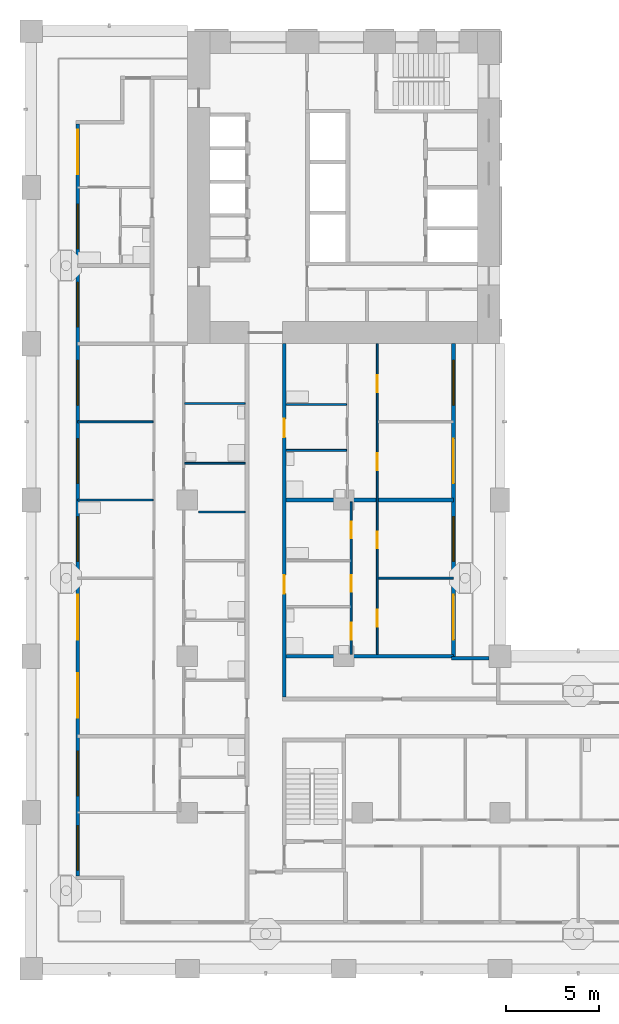
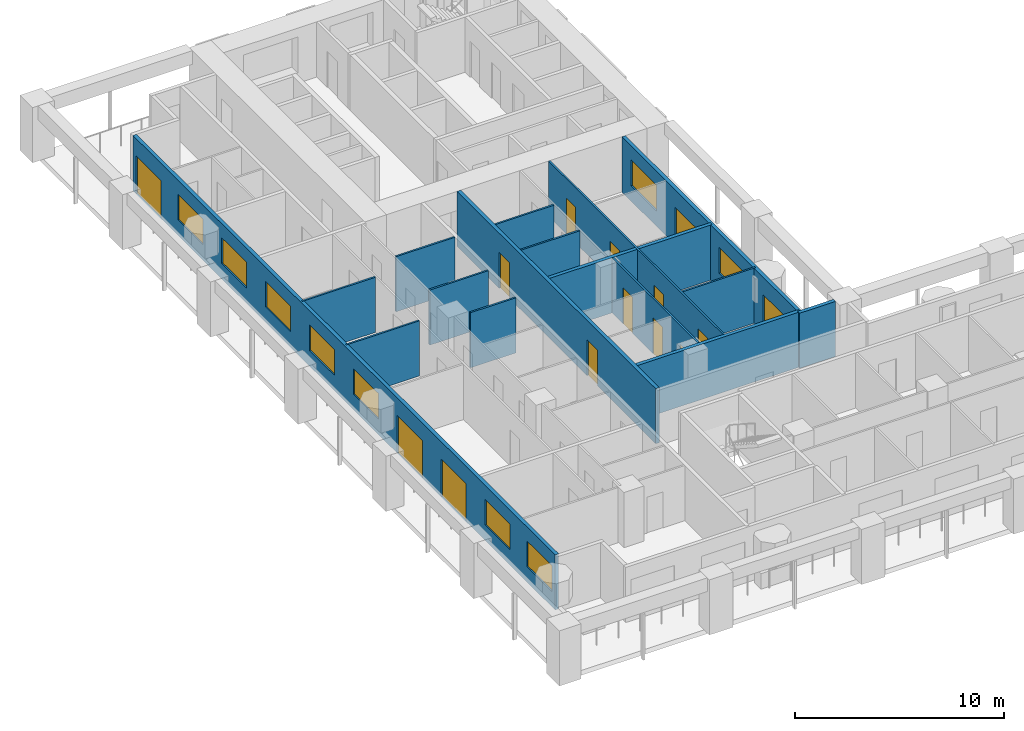
# One storey, part 4 of 19: 16 walls, 14 doors, 9 windows, 23 openings.
"""IFC4 building model written with IfcOpenShell, lengths in metres."""

from ifc_helpers import new_model, si_unit, direction, frame, frame_2d, origin, place, context, subcontext, project, spatial, rectangle, extrude, material, layer, layer_set, type_object, element, fill, save


model = new_model("IFC4")

# Units and contexts
model_context = context("Model", 3, precision=1e-05, world=origin(), true_north=direction((0.0, 1.0)))
body_context = subcontext(model_context, "Body", "Model", "MODEL_VIEW")
ifc_project = project(units=[si_unit("LENGTHUNIT", "METRE"), si_unit("AREAUNIT", "SQUARE_METRE"), si_unit("VOLUMEUNIT", "CUBIC_METRE"), si_unit("PLANEANGLEUNIT", "RADIAN"), si_unit("MASSUNIT", "GRAM", prefix="KILO")], contexts=[model_context])

# Site, building, storey
site_placement = place(None, origin())
site = spatial("IfcSite", under=ifc_project, at=site_placement, CompositionType="ELEMENT")
building_placement = place(site_placement, origin())
building = spatial("IfcBuilding", under=site, at=building_placement, Name="Vermilion Gate Residences", CompositionType="ELEMENT")
storey_placement = place(building_placement, frame((0.0, 0.0, 119.699951171875)))
storey = spatial("IfcBuildingStorey", under=building, at=storey_placement, Name="L30", CompositionType="ELEMENT", Elevation=119.699951171875)

# Wall, openings, doors, windows
ifc_material_1 = material(Name="Insulated steel stud wall with terracotta rainscreen", Category="masonry")
ifc_layer_1 = layer(ifc_material_1, 0.199951171875)
ifc_layer_set_1 = layer_set([ifc_layer_1], Name="EXTERNAL WALL 200 TERRACOTTA RAINSCREEN")
wall_type_1 = type_object("IfcWallType", Name="EXTERNAL WALL 200 TERRACOTTA RAINSCREEN", PredefinedType="SOLIDWALL", material=ifc_layer_set_1)
wall_1_placement = place(storey_placement, frame((2.5, 53.800048828125, 0.0), z_axis=(0.0, 0.0, 1.0), x_axis=(0.0, -1.0, 0.0)))
wall_1 = element("IfcWall", 1, at=wall_1_placement, inside=storey, type_object=wall_type_1, Name="External wall", PredefinedType="SOLIDWALL", context=body_context, shape_type="SweptSolid", body=[
    extrude(rectangle(XDim=40.400146484375, YDim=0.199951171875, at=frame_2d((20.2001953125, 0.0))), origin(), (0.0, 0.0, 1.0), 3.219970703125),
])
opening_1_placement = place(wall_1_placement, frame((37.699951171875, 0.0, 0.89990234375)))
opening_1 = element("IfcOpeningElement", 2, at=opening_1_placement, cuts=wall_1, Name="Opening WE30002", PredefinedType="OPENING", context=body_context, shape_type="SweptSolid", body=[
    extrude(rectangle(XDim=2.39990234375, YDim=1.5, at=frame_2d((1.199951171875, 0.75))), frame((0.0, 0.10986328125, 0.0), z_axis=(0.0, -1.0, 0.0), x_axis=(1.0, 0.0, 0.0)), (0.0, 0.0, 1.0), 0.219970703125),
])
opening_2_placement = place(wall_1_placement, frame((33.699951171875, 0.0, 0.89990234375)))
opening_2 = element("IfcOpeningElement", 3, at=opening_2_placement, cuts=wall_1, Name="Opening WE30003", PredefinedType="OPENING", context=body_context, shape_type="SweptSolid", body=[
    extrude(rectangle(XDim=2.39990234375, YDim=1.5, at=frame_2d((1.199951171875, 0.75))), frame((0.0, 0.10986328125, 0.0), z_axis=(0.0, -1.0, 0.0), x_axis=(1.0, 0.0, 0.0)), (0.0, 0.0, 1.0), 0.219970703125),
])
opening_3_placement = place(wall_1_placement, frame((29.5, 0.0, 0.0)))
opening_3 = element("IfcOpeningElement", 4, at=opening_3_placement, cuts=wall_1, Name="Opening DE30004", PredefinedType="OPENING", context=body_context, shape_type="SweptSolid", body=[
    extrude(rectangle(XDim=2.39990234375, YDim=2.199951171875, at=frame_2d((1.199951171875, 1.10009765625))), frame((0.0, 0.10986328125, 0.0), z_axis=(0.0, -1.0, 0.0), x_axis=(1.0, 0.0, 0.0)), (0.0, 0.0, 1.0), 0.219970703125),
])
opening_4_placement = place(wall_1_placement, frame((25.300048828125, 0.0, 0.0)))
opening_4 = element("IfcOpeningElement", 5, at=opening_4_placement, cuts=wall_1, Name="Opening DE30005", PredefinedType="OPENING", context=body_context, shape_type="SweptSolid", body=[
    extrude(rectangle(XDim=2.39990234375, YDim=2.199951171875, at=frame_2d((1.199951171875, 1.10009765625))), frame((0.0, 0.10986328125, 0.0), z_axis=(0.0, -1.0, 0.0), x_axis=(1.0, 0.0, 0.0)), (0.0, 0.0, 1.0), 0.219970703125),
])
opening_5_placement = place(wall_1_placement, frame((21.10009765625, 0.0, 0.89990234375)))
opening_5 = element("IfcOpeningElement", 6, at=opening_5_placement, cuts=wall_1, Name="Opening WE30006", PredefinedType="OPENING", context=body_context, shape_type="SweptSolid", body=[
    extrude(rectangle(XDim=2.39990234375, YDim=1.5, at=frame_2d((1.199951171875, 0.75))), frame((0.0, 0.10986328125, 0.0), z_axis=(0.0, -1.0, 0.0), x_axis=(1.0, 0.0, 0.0)), (0.0, 0.0, 1.0), 0.219970703125),
])
opening_6_placement = place(wall_1_placement, frame((16.89990234375, 0.0, 0.89990234375)))
opening_6 = element("IfcOpeningElement", 7, at=opening_6_placement, cuts=wall_1, Name="Opening WE30007", PredefinedType="OPENING", context=body_context, shape_type="SweptSolid", body=[
    extrude(rectangle(XDim=2.39990234375, YDim=1.5, at=frame_2d((1.199951171875, 0.75))), frame((0.0, 0.10986328125, 0.0), z_axis=(0.0, -1.0, 0.0), x_axis=(1.0, 0.0, 0.0)), (0.0, 0.0, 1.0), 0.219970703125),
])
opening_7_placement = place(wall_1_placement, frame((12.699951171875, 0.0, 0.89990234375)))
opening_7 = element("IfcOpeningElement", 8, at=opening_7_placement, cuts=wall_1, Name="Opening WE30008", PredefinedType="OPENING", context=body_context, shape_type="SweptSolid", body=[
    extrude(rectangle(XDim=2.39990234375, YDim=1.5, at=frame_2d((1.199951171875, 0.75))), frame((0.0, 0.10986328125, 0.0), z_axis=(0.0, -1.0, 0.0), x_axis=(1.0, 0.0, 0.0)), (0.0, 0.0, 1.0), 0.219970703125),
])
opening_8_placement = place(wall_1_placement, frame((8.5, 0.0, 0.89990234375)))
opening_8 = element("IfcOpeningElement", 9, at=opening_8_placement, cuts=wall_1, Name="Opening WE30009", PredefinedType="OPENING", context=body_context, shape_type="SweptSolid", body=[
    extrude(rectangle(XDim=2.39990234375, YDim=1.5, at=frame_2d((1.199951171875, 0.75))), frame((0.0, 0.10986328125, 0.0), z_axis=(0.0, -1.0, 0.0), x_axis=(1.0, 0.0, 0.0)), (0.0, 0.0, 1.0), 0.219970703125),
])
opening_9_placement = place(wall_1_placement, frame((4.300048828125, 0.0, 0.89990234375)))
opening_9 = element("IfcOpeningElement", 10, at=opening_9_placement, cuts=wall_1, Name="Opening WE30010", PredefinedType="OPENING", context=body_context, shape_type="SweptSolid", body=[
    extrude(rectangle(XDim=2.39990234375, YDim=1.5, at=frame_2d((1.199951171875, 0.75))), frame((0.0, 0.10986328125, 0.0), z_axis=(0.0, -1.0, 0.0), x_axis=(1.0, 0.0, 0.0)), (0.0, 0.0, 1.0), 0.219970703125),
])
opening_10_placement = place(wall_1_placement, frame((0.300048828125, 0.0, 0.0)))
opening_10 = element("IfcOpeningElement", 11, at=opening_10_placement, cuts=wall_1, Name="Opening DE30011", PredefinedType="OPENING", context=body_context, shape_type="SweptSolid", body=[
    extrude(rectangle(XDim=2.39990234375, YDim=2.199951171875, at=frame_2d((1.199951171875, 1.10009765625))), frame((0.0, 0.10986328125, 0.0), z_axis=(0.0, -1.0, 0.0), x_axis=(1.0, 0.0, 0.0)), (0.0, 0.0, 1.0), 0.219970703125),
])
ifc_material_2 = material(Name="Aluminium and clear glass", Category="aluminium")
door_type_1 = type_object("IfcDoorType", Name="SLIDING GLAZED DOOR 2400 X 2200", OperationType="DOUBLE_DOOR_SLIDING", PredefinedType="DOOR", material=ifc_material_2)
door_1_placement = place(opening_3_placement, origin())
door_1 = element("IfcDoor", 12, at=door_1_placement, inside=storey, type_object=door_type_1, Name="Loggia sliding door", OperationType="DOUBLE_DOOR_SLIDING", OverallHeight=2.199951171875, OverallWidth=2.39990234375, PredefinedType="DOOR", context=body_context, shape_type="SweptSolid", body=[
    extrude(rectangle(XDim=2.39990234375, YDim=2.199951171875, at=frame_2d((1.199951171875, 1.10009765625))), frame((0.0, 0.02490234375, 0.0), z_axis=(0.0, -1.0, 0.0), x_axis=(1.0, 0.0, 0.0)), (0.0, 0.0, 1.0), 0.050048828125),
])
fill(opening_3, door_1)
door_2_placement = place(opening_4_placement, origin())
door_2 = element("IfcDoor", 13, at=door_2_placement, inside=storey, type_object=door_type_1, Name="Loggia sliding door", OperationType="DOUBLE_DOOR_SLIDING", OverallHeight=2.199951171875, OverallWidth=2.39990234375, PredefinedType="DOOR", context=body_context, shape_type="SweptSolid", body=[
    extrude(rectangle(XDim=2.39990234375, YDim=2.199951171875, at=frame_2d((1.199951171875, 1.10009765625))), frame((0.0, 0.02490234375, 0.0), z_axis=(0.0, -1.0, 0.0), x_axis=(1.0, 0.0, 0.0)), (0.0, 0.0, 1.0), 0.050048828125),
])
fill(opening_4, door_2)
door_3_placement = place(opening_10_placement, origin())
door_3 = element("IfcDoor", 14, at=door_3_placement, inside=storey, type_object=door_type_1, Name="Loggia sliding door", OperationType="DOUBLE_DOOR_SLIDING", OverallHeight=2.199951171875, OverallWidth=2.39990234375, PredefinedType="DOOR", context=body_context, shape_type="SweptSolid", body=[
    extrude(rectangle(XDim=2.39990234375, YDim=2.199951171875, at=frame_2d((1.199951171875, 1.10009765625))), frame((0.0, 0.02490234375, 0.0), z_axis=(0.0, -1.0, 0.0), x_axis=(1.0, 0.0, 0.0)), (0.0, 0.0, 1.0), 0.050048828125),
])
fill(opening_10, door_3)
ifc_material_3 = material(Name="Aluminium and clear glass", Category="aluminium")
window_type = type_object("IfcWindowType", Name="WINDOW 2400 X 1500", PartitioningType="SINGLE_PANEL", PredefinedType="WINDOW", material=ifc_material_3)
window_1_placement = place(opening_1_placement, origin())
window_1 = element("IfcWindow", 15, at=window_1_placement, inside=storey, type_object=window_type, Name="Window", OverallHeight=1.5, OverallWidth=2.39990234375, PartitioningType="SINGLE_PANEL", PredefinedType="WINDOW", context=body_context, shape_type="SweptSolid", body=[
    extrude(rectangle(XDim=2.39990234375, YDim=1.5, at=frame_2d((1.199951171875, 0.75))), frame((0.0, 0.030029296875, 0.0), z_axis=(0.0, -1.0, 0.0), x_axis=(1.0, 0.0, 0.0)), (0.0, 0.0, 1.0), 0.06005859375),
])
fill(opening_1, window_1)
window_2_placement = place(opening_2_placement, origin())
window_2 = element("IfcWindow", 16, at=window_2_placement, inside=storey, type_object=window_type, Name="Window", OverallHeight=1.5, OverallWidth=2.39990234375, PartitioningType="SINGLE_PANEL", PredefinedType="WINDOW", context=body_context, shape_type="SweptSolid", body=[
    extrude(rectangle(XDim=2.39990234375, YDim=1.5, at=frame_2d((1.199951171875, 0.75))), frame((0.0, 0.030029296875, 0.0), z_axis=(0.0, -1.0, 0.0), x_axis=(1.0, 0.0, 0.0)), (0.0, 0.0, 1.0), 0.06005859375),
])
fill(opening_2, window_2)
window_3_placement = place(opening_5_placement, origin())
window_3 = element("IfcWindow", 17, at=window_3_placement, inside=storey, type_object=window_type, Name="Window", OverallHeight=1.5, OverallWidth=2.39990234375, PartitioningType="SINGLE_PANEL", PredefinedType="WINDOW", context=body_context, shape_type="SweptSolid", body=[
    extrude(rectangle(XDim=2.39990234375, YDim=1.5, at=frame_2d((1.199951171875, 0.75))), frame((0.0, 0.030029296875, 0.0), z_axis=(0.0, -1.0, 0.0), x_axis=(1.0, 0.0, 0.0)), (0.0, 0.0, 1.0), 0.06005859375),
])
fill(opening_5, window_3)
window_4_placement = place(opening_6_placement, origin())
window_4 = element("IfcWindow", 18, at=window_4_placement, inside=storey, type_object=window_type, Name="Window", OverallHeight=1.5, OverallWidth=2.39990234375, PartitioningType="SINGLE_PANEL", PredefinedType="WINDOW", context=body_context, shape_type="SweptSolid", body=[
    extrude(rectangle(XDim=2.39990234375, YDim=1.5, at=frame_2d((1.199951171875, 0.75))), frame((0.0, 0.030029296875, 0.0), z_axis=(0.0, -1.0, 0.0), x_axis=(1.0, 0.0, 0.0)), (0.0, 0.0, 1.0), 0.06005859375),
])
fill(opening_6, window_4)
window_5_placement = place(opening_7_placement, origin())
window_5 = element("IfcWindow", 19, at=window_5_placement, inside=storey, type_object=window_type, Name="Window", OverallHeight=1.5, OverallWidth=2.39990234375, PartitioningType="SINGLE_PANEL", PredefinedType="WINDOW", context=body_context, shape_type="SweptSolid", body=[
    extrude(rectangle(XDim=2.39990234375, YDim=1.5, at=frame_2d((1.199951171875, 0.75))), frame((0.0, 0.030029296875, 0.0), z_axis=(0.0, -1.0, 0.0), x_axis=(1.0, 0.0, 0.0)), (0.0, 0.0, 1.0), 0.06005859375),
])
fill(opening_7, window_5)
window_6_placement = place(opening_8_placement, origin())
window_6 = element("IfcWindow", 20, at=window_6_placement, inside=storey, type_object=window_type, Name="Window", OverallHeight=1.5, OverallWidth=2.39990234375, PartitioningType="SINGLE_PANEL", PredefinedType="WINDOW", context=body_context, shape_type="SweptSolid", body=[
    extrude(rectangle(XDim=2.39990234375, YDim=1.5, at=frame_2d((1.199951171875, 0.75))), frame((0.0, 0.030029296875, 0.0), z_axis=(0.0, -1.0, 0.0), x_axis=(1.0, 0.0, 0.0)), (0.0, 0.0, 1.0), 0.06005859375),
])
fill(opening_8, window_6)
window_7_placement = place(opening_9_placement, origin())
window_7 = element("IfcWindow", 21, at=window_7_placement, inside=storey, type_object=window_type, Name="Window", OverallHeight=1.5, OverallWidth=2.39990234375, PartitioningType="SINGLE_PANEL", PredefinedType="WINDOW", context=body_context, shape_type="SweptSolid", body=[
    extrude(rectangle(XDim=2.39990234375, YDim=1.5, at=frame_2d((1.199951171875, 0.75))), frame((0.0, 0.030029296875, 0.0), z_axis=(0.0, -1.0, 0.0), x_axis=(1.0, 0.0, 0.0)), (0.0, 0.0, 1.0), 0.06005859375),
])
fill(opening_9, window_7)

# Wall
wall_2_placement = place(storey_placement, frame((24.60009765625, 25.10009765625, 0.0), z_axis=(0.0, 0.0, 1.0), x_axis=(-1.0, 0.0, 0.0)))
element("IfcWall", 22, at=wall_2_placement, inside=storey, type_object=wall_type_1, Name="External wall", PredefinedType="SOLIDWALL", context=body_context, shape_type="SweptSolid", body=[
    extrude(rectangle(XDim=2.0, YDim=0.199951171875, at=frame_2d((1.0, 0.0))), origin(), (0.0, 0.0, 1.0), 3.219970703125),
])

# Wall, openings, doors, windows
wall_3_placement = place(storey_placement, frame((22.699951171875, 25.199951171875, 0.0), z_axis=(0.0, 0.0, 1.0), x_axis=(0.0, 1.0, 0.0)))
wall_3 = element("IfcWall", 23, at=wall_3_placement, inside=storey, type_object=wall_type_1, Name="External wall", PredefinedType="SOLIDWALL", context=body_context, shape_type="SweptSolid", body=[
    extrude(rectangle(XDim=16.800048828125, YDim=0.199951171875, at=frame_2d((8.39990234375, 0.0))), origin(), (0.0, 0.0, 1.0), 3.219970703125),
])
opening_11_placement = place(wall_3_placement, frame((0.89990234375, 0.0, 0.0)))
opening_11 = element("IfcOpeningElement", 24, at=opening_11_placement, cuts=wall_3, Name="Opening DE30024", PredefinedType="OPENING", context=body_context, shape_type="SweptSolid", body=[
    extrude(rectangle(XDim=2.39990234375, YDim=2.199951171875, at=frame_2d((1.199951171875, 1.10009765625))), frame((0.0, 0.10986328125, 0.0), z_axis=(0.0, -1.0, 0.0), x_axis=(1.0, 0.0, 0.0)), (0.0, 0.0, 1.0), 0.219970703125),
])
opening_12_placement = place(wall_3_placement, frame((5.10009765625, 0.0, 0.89990234375)))
opening_12 = element("IfcOpeningElement", 25, at=opening_12_placement, cuts=wall_3, Name="Opening WE30025", PredefinedType="OPENING", context=body_context, shape_type="SweptSolid", body=[
    extrude(rectangle(XDim=2.39990234375, YDim=1.5, at=frame_2d((1.199951171875, 0.75))), frame((0.0, 0.10986328125, 0.0), z_axis=(0.0, -1.0, 0.0), x_axis=(1.0, 0.0, 0.0)), (0.0, 0.0, 1.0), 0.219970703125),
])
opening_13_placement = place(wall_3_placement, frame((9.300048828125, 0.0, 0.0)))
opening_13 = element("IfcOpeningElement", 26, at=opening_13_placement, cuts=wall_3, Name="Opening DE30026", PredefinedType="OPENING", context=body_context, shape_type="SweptSolid", body=[
    extrude(rectangle(XDim=2.39990234375, YDim=2.199951171875, at=frame_2d((1.199951171875, 1.10009765625))), frame((0.0, 0.10986328125, 0.0), z_axis=(0.0, -1.0, 0.0), x_axis=(1.0, 0.0, 0.0)), (0.0, 0.0, 1.0), 0.219970703125),
])
opening_14_placement = place(wall_3_placement, frame((13.5, 0.0, 0.89990234375)))
opening_14 = element("IfcOpeningElement", 27, at=opening_14_placement, cuts=wall_3, Name="Opening WE30027", PredefinedType="OPENING", context=body_context, shape_type="SweptSolid", body=[
    extrude(rectangle(XDim=2.39990234375, YDim=1.5, at=frame_2d((1.199951171875, 0.75))), frame((0.0, 0.10986328125, 0.0), z_axis=(0.0, -1.0, 0.0), x_axis=(1.0, 0.0, 0.0)), (0.0, 0.0, 1.0), 0.219970703125),
])
door_4_placement = place(opening_11_placement, origin())
door_4 = element("IfcDoor", 28, at=door_4_placement, inside=storey, type_object=door_type_1, Name="Loggia sliding door", OperationType="DOUBLE_DOOR_SLIDING", OverallHeight=2.199951171875, OverallWidth=2.39990234375, PredefinedType="DOOR", context=body_context, shape_type="SweptSolid", body=[
    extrude(rectangle(XDim=2.39990234375, YDim=2.199951171875, at=frame_2d((1.199951171875, 1.10009765625))), frame((0.0, 0.02490234375, 0.0), z_axis=(0.0, -1.0, 0.0), x_axis=(1.0, 0.0, 0.0)), (0.0, 0.0, 1.0), 0.050048828125),
])
fill(opening_11, door_4)
door_5_placement = place(opening_13_placement, origin())
door_5 = element("IfcDoor", 29, at=door_5_placement, inside=storey, type_object=door_type_1, Name="Loggia sliding door", OperationType="DOUBLE_DOOR_SLIDING", OverallHeight=2.199951171875, OverallWidth=2.39990234375, PredefinedType="DOOR", context=body_context, shape_type="SweptSolid", body=[
    extrude(rectangle(XDim=2.39990234375, YDim=2.199951171875, at=frame_2d((1.199951171875, 1.10009765625))), frame((0.0, 0.02490234375, 0.0), z_axis=(0.0, -1.0, 0.0), x_axis=(1.0, 0.0, 0.0)), (0.0, 0.0, 1.0), 0.050048828125),
])
fill(opening_13, door_5)
window_8_placement = place(opening_12_placement, origin())
window_8 = element("IfcWindow", 30, at=window_8_placement, inside=storey, type_object=window_type, Name="Window", OverallHeight=1.5, OverallWidth=2.39990234375, PartitioningType="SINGLE_PANEL", PredefinedType="WINDOW", context=body_context, shape_type="SweptSolid", body=[
    extrude(rectangle(XDim=2.39990234375, YDim=1.5, at=frame_2d((1.199951171875, 0.75))), frame((0.0, 0.030029296875, 0.0), z_axis=(0.0, -1.0, 0.0), x_axis=(1.0, 0.0, 0.0)), (0.0, 0.0, 1.0), 0.06005859375),
])
fill(opening_12, window_8)
window_9_placement = place(opening_14_placement, origin())
window_9 = element("IfcWindow", 31, at=window_9_placement, inside=storey, type_object=window_type, Name="Window", OverallHeight=1.5, OverallWidth=2.39990234375, PartitioningType="SINGLE_PANEL", PredefinedType="WINDOW", context=body_context, shape_type="SweptSolid", body=[
    extrude(rectangle(XDim=2.39990234375, YDim=1.5, at=frame_2d((1.199951171875, 0.75))), frame((0.0, 0.030029296875, 0.0), z_axis=(0.0, -1.0, 0.0), x_axis=(1.0, 0.0, 0.0)), (0.0, 0.0, 1.0), 0.06005859375),
])
fill(opening_14, window_9)

# Walls
ifc_material_4 = material(Name="Plasterboard on steel studs", Category="steel")
ifc_layer_2 = layer(ifc_material_4, 0.10009765625)
ifc_layer_set_2 = layer_set([ifc_layer_2], Name="PARTITION 100")
wall_type_2 = type_object("IfcWallType", Name="PARTITION 100", PredefinedType="PARTITIONING", material=ifc_layer_set_2)
wall_4_placement = place(storey_placement, frame((18.64990234375, 29.39990234375, 0.0), z_axis=(0.0, 0.0, 1.0), x_axis=(1.0, 0.0, 0.0)))
element("IfcWall", 32, at=wall_4_placement, inside=storey, type_object=wall_type_2, Name="Partition", PredefinedType="PARTITIONING", context=body_context, shape_type="SweptSolid", body=[
    extrude(rectangle(XDim=4.050048828125, YDim=0.10009765625, at=frame_2d((2.02490234375, 0.0))), origin(), (0.0, 0.0, 1.0), 3.219970703125),
])
wall_5_placement = place(storey_placement, frame((9.0, 32.95703125, 0.0), z_axis=(0.0, 0.0, 1.0), x_axis=(1.0, 0.0, 0.0)))
element("IfcWall", 33, at=wall_5_placement, inside=storey, type_object=wall_type_2, Name="Partition", PredefinedType="PARTITIONING", context=body_context, shape_type="SweptSolid", body=[
    extrude(rectangle(XDim=2.5, YDim=0.10009765625, at=frame_2d((1.25, 0.0))), origin(), (0.0, 0.0, 1.0), 3.219970703125),
])
wall_6_placement = place(storey_placement, frame((2.5, 33.60009765625, 0.0), z_axis=(0.0, 0.0, 1.0), x_axis=(1.0, 0.0, 0.0)))
element("IfcWall", 34, at=wall_6_placement, inside=storey, type_object=wall_type_2, Name="Partition", PredefinedType="PARTITIONING", context=body_context, shape_type="SweptSolid", body=[
    extrude(rectangle(XDim=4.050048828125, YDim=0.10009765625, at=frame_2d((2.02490234375, 0.0))), origin(), (0.0, 0.0, 1.0), 3.219970703125),
])
for number, where, z_axis, x_axis, name in (
    (35, (8.25, 35.572021484375, 0.0), (0.0, 0.0, 1.0), (1.0, 0.0, 0.0), "Partition"),
    (36, (13.699951171875, 36.26708984375, 0.0), (0.0, 0.0, 1.0), (1.0, 0.0, 0.0), "Partition"),
):
    element("IfcWall", number, at=place(storey_placement, frame(where, z_axis=z_axis, x_axis=x_axis)), inside=storey, type_object=wall_type_2, Name=name, PredefinedType="PARTITIONING", context=body_context, shape_type="SweptSolid", body=[
        extrude(rectangle(XDim=3.25, YDim=0.10009765625, at=frame_2d((1.625, 0.0))), origin(), (0.0, 0.0, 1.0), 3.219970703125),
    ])
wall_7_placement = place(storey_placement, frame((2.5, 37.800048828125, 0.0), z_axis=(0.0, 0.0, 1.0), x_axis=(1.0, 0.0, 0.0)))
element("IfcWall", 37, at=wall_7_placement, inside=storey, type_object=wall_type_2, Name="Partition", PredefinedType="PARTITIONING", context=body_context, shape_type="SweptSolid", body=[
    extrude(rectangle(XDim=4.050048828125, YDim=0.10009765625, at=frame_2d((2.02490234375, 0.0))), origin(), (0.0, 0.0, 1.0), 3.219970703125),
])
for number, where, z_axis, x_axis, name in (
    (38, (13.699951171875, 38.73291015625, 0.0), (0.0, 0.0, 1.0), (1.0, 0.0, 0.0), "Partition"),
    (39, (8.25, 38.785888671875, 0.0), (0.0, 0.0, 1.0), (1.0, 0.0, 0.0), "Partition"),
):
    element("IfcWall", number, at=place(storey_placement, frame(where, z_axis=z_axis, x_axis=x_axis)), inside=storey, type_object=wall_type_2, Name=name, PredefinedType="PARTITIONING", context=body_context, shape_type="SweptSolid", body=[
        extrude(rectangle(XDim=3.25, YDim=0.10009765625, at=frame_2d((1.625, 0.0))), origin(), (0.0, 0.0, 1.0), 3.219970703125),
    ])

# Wall, openings, doors
wall_8_placement = place(storey_placement, frame((17.199951171875, 25.300048828125, 0.0), z_axis=(0.0, 0.0, 1.0), x_axis=(0.0, 1.0, 0.0)))
wall_8 = element("IfcWall", 40, at=wall_8_placement, inside=storey, type_object=wall_type_2, Name="Partition", PredefinedType="PARTITIONING", context=body_context, shape_type="SweptSolid", body=[
    extrude(rectangle(XDim=8.199951171875, YDim=0.10009765625, at=frame_2d((4.10009765625, 0.0))), origin(), (0.0, 0.0, 1.0), 3.219970703125),
])
opening_15_placement = place(wall_8_placement, frame((3.366943359375, 0.0, 0.0)))
opening_15 = element("IfcOpeningElement", 41, at=opening_15_placement, cuts=wall_8, Name="Opening DA30043", PredefinedType="OPENING", context=body_context, shape_type="SweptSolid", body=[
    extrude(rectangle(XDim=0.89990234375, YDim=2.10009765625, at=frame_2d((0.449951171875, 1.050048828125))), frame((0.0, 0.06005859375, 0.0), z_axis=(0.0, -1.0, 0.0), x_axis=(1.0, 0.0, 0.0)), (0.0, 0.0, 1.0), 0.1201171875),
])
opening_16_placement = place(wall_8_placement, frame((0.800048828125, 0.0, 0.0)))
opening_16 = element("IfcOpeningElement", 42, at=opening_16_placement, cuts=wall_8, Name="Opening DA30044", PredefinedType="OPENING", context=body_context, shape_type="SweptSolid", body=[
    extrude(rectangle(XDim=0.89990234375, YDim=2.10009765625, at=frame_2d((0.449951171875, 1.050048828125))), frame((0.0, 0.06005859375, 0.0), z_axis=(0.0, -1.0, 0.0), x_axis=(1.0, 0.0, 0.0)), (0.0, 0.0, 1.0), 0.1201171875),
])
opening_17_placement = place(wall_8_placement, frame((6.23291015625, 0.0, 0.0)))
opening_17 = element("IfcOpeningElement", 43, at=opening_17_placement, cuts=wall_8, Name="Opening DA30045", PredefinedType="OPENING", context=body_context, shape_type="SweptSolid", body=[
    extrude(rectangle(XDim=0.89990234375, YDim=2.10009765625, at=frame_2d((0.449951171875, 1.050048828125))), frame((0.0, 0.06005859375, 0.0), z_axis=(0.0, -1.0, 0.0), x_axis=(1.0, 0.0, 0.0)), (0.0, 0.0, 1.0), 0.1201171875),
])
ifc_material_5 = material(Name="Timber", Category="wood")
door_type_2 = type_object("IfcDoorType", Name="INTERIOR DOOR 900 X 2100", OperationType="SINGLE_SWING_LEFT", PredefinedType="DOOR", material=ifc_material_5)
door_6_placement = place(opening_15_placement, origin())
door_6 = element("IfcDoor", 44, at=door_6_placement, inside=storey, type_object=door_type_2, Name="Interior door", OperationType="SINGLE_SWING_RIGHT", OverallHeight=2.10009765625, OverallWidth=0.89990234375, PredefinedType="DOOR", context=body_context, shape_type="SweptSolid", body=[
    extrude(rectangle(XDim=0.89990234375, YDim=2.10009765625, at=frame_2d((0.449951171875, 1.050048828125))), frame((0.0, 0.02490234375, 0.0), z_axis=(0.0, -1.0, 0.0), x_axis=(1.0, 0.0, 0.0)), (0.0, 0.0, 1.0), 0.050048828125),
])
fill(opening_15, door_6)
door_7_placement = place(opening_16_placement, origin())
door_7 = element("IfcDoor", 45, at=door_7_placement, inside=storey, type_object=door_type_2, Name="Interior door", OperationType="SINGLE_SWING_LEFT", OverallHeight=2.10009765625, OverallWidth=0.89990234375, PredefinedType="DOOR", context=body_context, shape_type="SweptSolid", body=[
    extrude(rectangle(XDim=0.89990234375, YDim=2.10009765625, at=frame_2d((0.449951171875, 1.050048828125))), frame((0.0, 0.02490234375, 0.0), z_axis=(0.0, -1.0, 0.0), x_axis=(1.0, 0.0, 0.0)), (0.0, 0.0, 1.0), 0.050048828125),
])
fill(opening_16, door_7)
door_8_placement = place(opening_17_placement, origin())
door_8 = element("IfcDoor", 46, at=door_8_placement, inside=storey, type_object=door_type_2, Name="Interior door", OperationType="SINGLE_SWING_RIGHT", OverallHeight=2.10009765625, OverallWidth=0.89990234375, PredefinedType="DOOR", context=body_context, shape_type="SweptSolid", body=[
    extrude(rectangle(XDim=0.89990234375, YDim=2.10009765625, at=frame_2d((0.449951171875, 1.050048828125))), frame((0.0, 0.02490234375, 0.0), z_axis=(0.0, -1.0, 0.0), x_axis=(1.0, 0.0, 0.0)), (0.0, 0.0, 1.0), 0.050048828125),
])
fill(opening_17, door_8)

wall_9_placement = place(storey_placement, frame((18.60009765625, 25.300048828125, 0.0), z_axis=(0.0, 0.0, 1.0), x_axis=(0.0, 1.0, 0.0)))
wall_9 = element("IfcWall", 47, at=wall_9_placement, inside=storey, type_object=wall_type_2, Name="Partition", PredefinedType="PARTITIONING", context=body_context, shape_type="SweptSolid", body=[
    extrude(rectangle(XDim=16.699951171875, YDim=0.10009765625, at=frame_2d((8.35009765625, 0.0))), origin(), (0.0, 0.0, 1.0), 3.219970703125),
])
opening_18_placement = place(wall_9_placement, frame((1.5, 0.0, 0.0)))
opening_18 = element("IfcOpeningElement", 48, at=opening_18_placement, cuts=wall_9, Name="Opening DA30046", PredefinedType="OPENING", context=body_context, shape_type="SweptSolid", body=[
    extrude(rectangle(XDim=0.89990234375, YDim=2.10009765625, at=frame_2d((0.449951171875, 1.050048828125))), frame((0.0, 0.06005859375, 0.0), z_axis=(0.0, -1.0, 0.0), x_axis=(1.0, 0.0, 0.0)), (0.0, 0.0, 1.0), 0.1201171875),
])
opening_19_placement = place(wall_9_placement, frame((5.699951171875, 0.0, 0.0)))
opening_19 = element("IfcOpeningElement", 49, at=opening_19_placement, cuts=wall_9, Name="Opening DA30047", PredefinedType="OPENING", context=body_context, shape_type="SweptSolid", body=[
    extrude(rectangle(XDim=0.89990234375, YDim=2.10009765625, at=frame_2d((0.449951171875, 1.050048828125))), frame((0.0, 0.06005859375, 0.0), z_axis=(0.0, -1.0, 0.0), x_axis=(1.0, 0.0, 0.0)), (0.0, 0.0, 1.0), 0.1201171875),
])
opening_20_placement = place(wall_9_placement, frame((9.89990234375, 0.0, 0.0)))
opening_20 = element("IfcOpeningElement", 50, at=opening_20_placement, cuts=wall_9, Name="Opening DA30048", PredefinedType="OPENING", context=body_context, shape_type="SweptSolid", body=[
    extrude(rectangle(XDim=0.89990234375, YDim=2.10009765625, at=frame_2d((0.449951171875, 1.050048828125))), frame((0.0, 0.06005859375, 0.0), z_axis=(0.0, -1.0, 0.0), x_axis=(1.0, 0.0, 0.0)), (0.0, 0.0, 1.0), 0.1201171875),
])
opening_21_placement = place(wall_9_placement, frame((14.10009765625, 0.0, 0.0)))
opening_21 = element("IfcOpeningElement", 51, at=opening_21_placement, cuts=wall_9, Name="Opening DA30049", PredefinedType="OPENING", context=body_context, shape_type="SweptSolid", body=[
    extrude(rectangle(XDim=0.89990234375, YDim=2.10009765625, at=frame_2d((0.449951171875, 1.050048828125))), frame((0.0, 0.06005859375, 0.0), z_axis=(0.0, -1.0, 0.0), x_axis=(1.0, 0.0, 0.0)), (0.0, 0.0, 1.0), 0.1201171875),
])
door_9_placement = place(opening_18_placement, frame((0.89990234375, 0.0, 0.0), z_axis=(0.0, 0.0, 1.0), x_axis=(-1.0, 0.0, 0.0)))
door_9 = element("IfcDoor", 52, at=door_9_placement, inside=storey, type_object=door_type_2, Name="Interior door", OperationType="SINGLE_SWING_RIGHT", OverallHeight=2.10009765625, OverallWidth=0.89990234375, PredefinedType="DOOR", context=body_context, shape_type="SweptSolid", body=[
    extrude(rectangle(XDim=0.89990234375, YDim=2.10009765625, at=frame_2d((0.449951171875, 1.050048828125))), frame((0.0, 0.02490234375, 0.0), z_axis=(0.0, -1.0, 0.0), x_axis=(1.0, 0.0, 0.0)), (0.0, 0.0, 1.0), 0.050048828125),
])
fill(opening_18, door_9)
door_10_placement = place(opening_19_placement, frame((0.89990234375, 0.0, 0.0), z_axis=(0.0, 0.0, 1.0), x_axis=(-1.0, 0.0, 0.0)))
door_10 = element("IfcDoor", 53, at=door_10_placement, inside=storey, type_object=door_type_2, Name="Interior door", OperationType="SINGLE_SWING_RIGHT", OverallHeight=2.10009765625, OverallWidth=0.89990234375, PredefinedType="DOOR", context=body_context, shape_type="SweptSolid", body=[
    extrude(rectangle(XDim=0.89990234375, YDim=2.10009765625, at=frame_2d((0.449951171875, 1.050048828125))), frame((0.0, 0.02490234375, 0.0), z_axis=(0.0, -1.0, 0.0), x_axis=(1.0, 0.0, 0.0)), (0.0, 0.0, 1.0), 0.050048828125),
])
fill(opening_19, door_10)
door_11_placement = place(opening_20_placement, frame((0.89990234375, 0.0, 0.0), z_axis=(0.0, 0.0, 1.0), x_axis=(-1.0, 0.0, 0.0)))
door_11 = element("IfcDoor", 54, at=door_11_placement, inside=storey, type_object=door_type_2, Name="Interior door", OperationType="SINGLE_SWING_RIGHT", OverallHeight=2.10009765625, OverallWidth=0.89990234375, PredefinedType="DOOR", context=body_context, shape_type="SweptSolid", body=[
    extrude(rectangle(XDim=0.89990234375, YDim=2.10009765625, at=frame_2d((0.449951171875, 1.050048828125))), frame((0.0, 0.02490234375, 0.0), z_axis=(0.0, -1.0, 0.0), x_axis=(1.0, 0.0, 0.0)), (0.0, 0.0, 1.0), 0.050048828125),
])
fill(opening_20, door_11)
door_12_placement = place(opening_21_placement, frame((0.89990234375, 0.0, 0.0), z_axis=(0.0, 0.0, 1.0), x_axis=(-1.0, 0.0, 0.0)))
door_12 = element("IfcDoor", 55, at=door_12_placement, inside=storey, type_object=door_type_2, Name="Interior door", OperationType="SINGLE_SWING_RIGHT", OverallHeight=2.10009765625, OverallWidth=0.89990234375, PredefinedType="DOOR", context=body_context, shape_type="SweptSolid", body=[
    extrude(rectangle(XDim=0.89990234375, YDim=2.10009765625, at=frame_2d((0.449951171875, 1.050048828125))), frame((0.0, 0.02490234375, 0.0), z_axis=(0.0, -1.0, 0.0), x_axis=(1.0, 0.0, 0.0)), (0.0, 0.0, 1.0), 0.050048828125),
])
fill(opening_21, door_12)

# Walls
ifc_material_6 = material(Name="Fire-rated plasterboard on steel studs", Category="steel")
ifc_layer_3 = layer(ifc_material_6, 0.199951171875)
ifc_layer_set_3 = layer_set([ifc_layer_3], Name="PARTY WALL 200 EI 120")
wall_type_3 = type_object("IfcWallType", Name="PARTY WALL 200 EI 120", PredefinedType="PARTITIONING", material=ifc_layer_set_3)
for number, where, z_axis, x_axis, name in (
    (56, (13.699951171875, 25.199951171875, 0.0), (0.0, 0.0, 1.0), (1.0, 0.0, 0.0), "Party and corridor wall"),
    (57, (13.699951171875, 33.60009765625, 0.0), (0.0, 0.0, 1.0), (1.0, 0.0, 0.0), "Party and corridor wall"),
):
    element("IfcWall", number, at=place(storey_placement, frame(where, z_axis=z_axis, x_axis=x_axis)), inside=storey, type_object=wall_type_3, Name=name, PredefinedType="PARTITIONING", context=body_context, shape_type="SweptSolid", body=[
        extrude(rectangle(XDim=9.0, YDim=0.199951171875, at=frame_2d((4.5, 0.0))), origin(), (0.0, 0.0, 1.0), 3.219970703125),
    ])

# Wall, openings, doors
wall_10_placement = place(storey_placement, frame((13.60009765625, 23.0, 0.0), z_axis=(0.0, 0.0, 1.0), x_axis=(0.0, 1.0, 0.0)))
wall_10 = element("IfcWall", 58, at=wall_10_placement, inside=storey, type_object=wall_type_3, Name="Party and corridor wall", PredefinedType="PARTITIONING", context=body_context, shape_type="SweptSolid", body=[
    extrude(rectangle(XDim=19.0, YDim=0.199951171875, at=frame_2d((9.5, 0.0))), origin(), (0.0, 0.0, 1.0), 3.219970703125),
])
opening_22_placement = place(wall_10_placement, frame((5.56689453125, 0.0, 0.0)))
opening_22 = element("IfcOpeningElement", 59, at=opening_22_placement, cuts=wall_10, Name="Opening DA30038", PredefinedType="OPENING", context=body_context, shape_type="SweptSolid", body=[
    extrude(rectangle(XDim=1.0, YDim=2.10009765625, at=frame_2d((0.5, 1.050048828125))), frame((0.0, 0.10986328125, 0.0), z_axis=(0.0, -1.0, 0.0), x_axis=(1.0, 0.0, 0.0)), (0.0, 0.0, 1.0), 0.219970703125),
])
opening_23_placement = place(wall_10_placement, frame((13.967041015625, 0.0, 0.0)))
opening_23 = element("IfcOpeningElement", 60, at=opening_23_placement, cuts=wall_10, Name="Opening DA30039", PredefinedType="OPENING", context=body_context, shape_type="SweptSolid", body=[
    extrude(rectangle(XDim=1.0, YDim=2.10009765625, at=frame_2d((0.5, 1.050048828125))), frame((0.0, 0.10986328125, 0.0), z_axis=(0.0, -1.0, 0.0), x_axis=(1.0, 0.0, 0.0)), (0.0, 0.0, 1.0), 0.219970703125),
])
ifc_material_7 = material(Name="Steel", Category="steel")
door_type_3 = type_object("IfcDoorType", Name="ENTRANCE DOOR 1000 X 2100 FD30", OperationType="SINGLE_SWING_LEFT", PredefinedType="DOOR", material=ifc_material_7)
door_13_placement = place(opening_22_placement, frame((1.0, 0.0, 0.0), z_axis=(0.0, 0.0, 1.0), x_axis=(-1.0, 0.0, 0.0)))
door_13 = element("IfcDoor", 61, at=door_13_placement, inside=storey, type_object=door_type_3, Name="Entrance door", OperationType="SINGLE_SWING_RIGHT", OverallHeight=2.10009765625, OverallWidth=1.0, PredefinedType="DOOR", context=body_context, shape_type="SweptSolid", body=[
    extrude(rectangle(XDim=1.0, YDim=2.10009765625, at=frame_2d((0.5, 1.050048828125))), frame((0.0, 0.02490234375, 0.0), z_axis=(0.0, -1.0, 0.0), x_axis=(1.0, 0.0, 0.0)), (0.0, 0.0, 1.0), 0.050048828125),
])
fill(opening_22, door_13)
door_14_placement = place(opening_23_placement, frame((1.0, 0.0, 0.0), z_axis=(0.0, 0.0, 1.0), x_axis=(-1.0, 0.0, 0.0)))
door_14 = element("IfcDoor", 62, at=door_14_placement, inside=storey, type_object=door_type_3, Name="Entrance door", OperationType="SINGLE_SWING_RIGHT", OverallHeight=2.10009765625, OverallWidth=1.0, PredefinedType="DOOR", context=body_context, shape_type="SweptSolid", body=[
    extrude(rectangle(XDim=1.0, YDim=2.10009765625, at=frame_2d((0.5, 1.050048828125))), frame((0.0, 0.02490234375, 0.0), z_axis=(0.0, -1.0, 0.0), x_axis=(1.0, 0.0, 0.0)), (0.0, 0.0, 1.0), 0.050048828125),
])
fill(opening_23, door_14)

save(model, "model.ifc")
